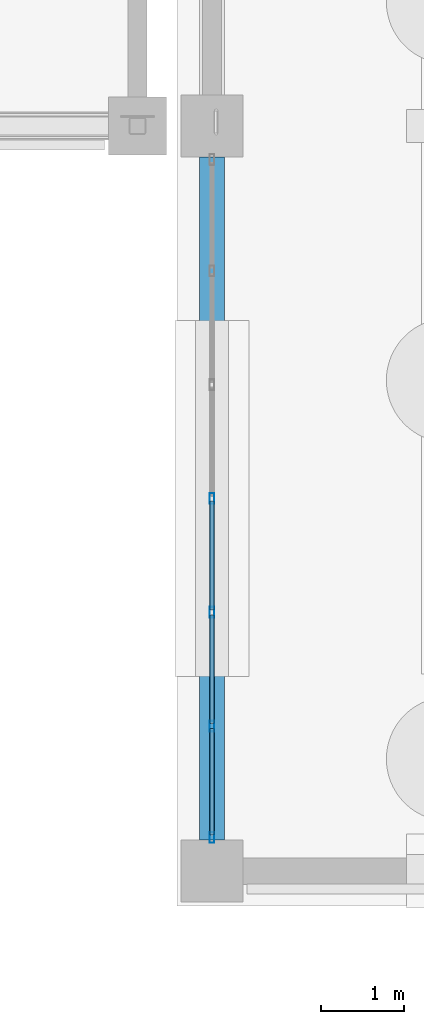
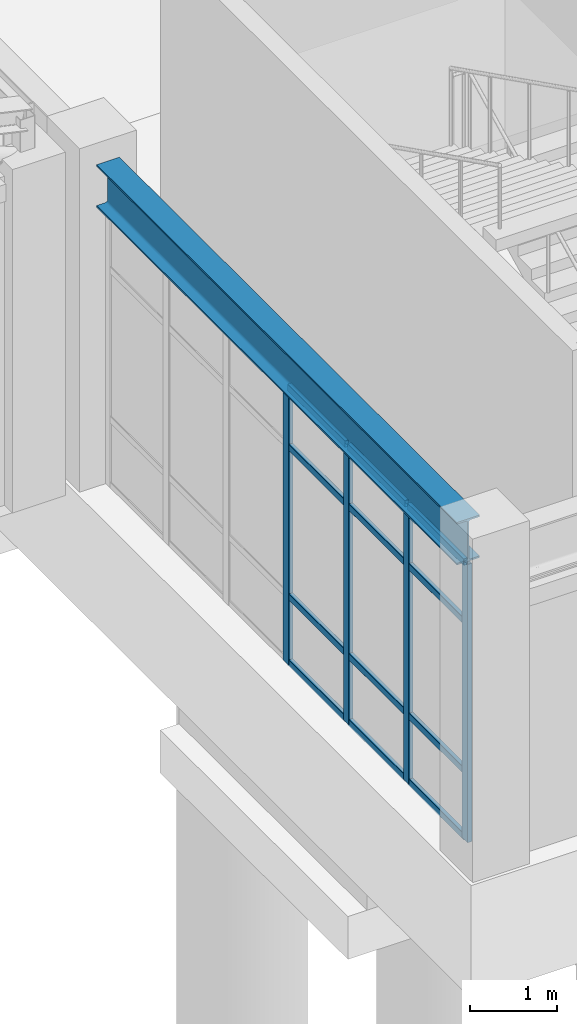
# One storey, part 28 of 139: 16 members, 1 beam, 1 element without a shape of its own.
"""IFC4 building model written with IfcOpenShell, lengths in metres."""

from ifc_helpers import new_model, si_unit, direction, frame, origin, origin_2d, place, context, subcontext, project, spatial, hollow_rectangle, i_section, extrude, material, material_profile, profile_set, type_object, element, aggregate, save


model = new_model("IFC4")

# Units and contexts
model_context = context("Model", 3, precision=1e-05, world=origin(), true_north=direction((0.0, 1.0)))
body_context = subcontext(model_context, "Body", "Model", "MODEL_VIEW")
ifc_project = project(units=[si_unit("LENGTHUNIT", "METRE"), si_unit("AREAUNIT", "SQUARE_METRE"), si_unit("VOLUMEUNIT", "CUBIC_METRE"), si_unit("PLANEANGLEUNIT", "RADIAN"), si_unit("MASSUNIT", "GRAM", prefix="KILO")], contexts=[model_context])

# Site, building, storey
site_placement = place(None, origin())
site = spatial("IfcSite", under=ifc_project, at=site_placement, CompositionType="ELEMENT")
building_placement = place(site_placement, origin())
building = spatial("IfcBuilding", under=site, at=building_placement, Name="Canglan Escarpment Cableway Terminal", CompositionType="ELEMENT")
storey_placement = place(building_placement, frame((0.0, 0.0, 14.39990234375)))
storey = spatial("IfcBuildingStorey", under=building, at=storey_placement, Name="L03", CompositionType="ELEMENT", Elevation=14.39990234375)

# Beam
ifc_material_1 = material(Name="Steel Q355C", Category="steel")
ifc_material_profile_1 = material_profile(ifc_material_1, i_section(OverallWidth=0.302001953125, OverallDepth=0.593994140625, WebThickness=0.013916015625, FlangeThickness=0.02294921875, FilletRadius=0.028076171875, at=origin_2d()), Name="HM 594x302x14x23")
ifc_profile_set_1 = profile_set([ifc_material_profile_1], Name="Steel Q355C")
beam_type = type_object("IfcBeamType", Name="BM-HM594", PredefinedType="BEAM", material=ifc_profile_set_1)
beam_placement = place(storey_placement, frame((137.60009765625, 34.375, 4.203125), z_axis=(0.0, 1.0, 0.0), x_axis=(-1.0, 0.0, 0.0)))
element("IfcBeam", 1, at=beam_placement, inside=storey, type_object=beam_type, Name="Primary transverse girder B-07", PredefinedType="BEAM", context=body_context, shape_type="SweptSolid", body=[
    extrude(i_section(OverallWidth=0.302001953125, OverallDepth=0.593994140625, WebThickness=0.013916015625, FlangeThickness=0.02294921875, FilletRadius=0.028076171875, at=origin_2d()), origin(), (0.0, 0.0, 1.0), 8.25),
])

# Curtain wall, members
ifc_material_2 = material(Name="Anodized bronze aluminium and Low-E double glazing", Category="aluminium")
curtain_wall_type = type_object("IfcCurtainWallType", Name="CW-BAY-8250x3900", PredefinedType="NOTDEFINED", material=ifc_material_2)
curtain_wall_placement = place(storey_placement, origin())
curtain_wall = element("IfcCurtainWall", 2, at=curtain_wall_placement, inside=storey, type_object=curtain_wall_type, Name="Classical bay-between-piers glazed curtain wall CW-62", PredefinedType="NOTDEFINED")
ifc_material_3 = material(Name="Thermally broken anodized aluminium 6063-T6", Category="aluminium")
ifc_material_profile_2 = material_profile(ifc_material_3, hollow_rectangle(XDim=0.06005859375, YDim=0.1298828125, WallThickness=0.0029296875, InnerFilletRadius=0.0029296875, OuterFilletRadius=0.006103515625, at=origin_2d()), Name="ALU-MULL 60x130x3")
ifc_profile_set_2 = profile_set([ifc_material_profile_2], Name="Thermally broken anodized aluminium 6063-T6")
member_type_1 = type_object("IfcMemberType", Name="CWM-01", PredefinedType="MULLION", material=ifc_profile_set_2)
member_1_placement = place(storey_placement, frame((137.60009765625, 38.5, 0.0), z_axis=(0.0, 0.0, 1.0), x_axis=(1.0, 0.0, 0.0)))
member_1 = element("IfcMember", 3, at=member_1_placement, type_object=member_type_1, Name="CW-62 mullion 4", PredefinedType="MULLION", context=body_context, shape_type="SweptSolid", body=[
    extrude(hollow_rectangle(XDim=0.06005859375, YDim=0.1298828125, WallThickness=0.0029296875, InnerFilletRadius=0.0029296875, OuterFilletRadius=0.006103515625, at=origin_2d()), origin(), (0.0, 0.0, 1.0), 3.89111328125),
])
member_2_placement = place(storey_placement, frame((137.60009765625, 37.125, 0.0), z_axis=(0.0, 0.0, 1.0), x_axis=(1.0, 0.0, 0.0)))
member_2 = element("IfcMember", 4, at=member_2_placement, type_object=member_type_1, Name="CW-62 mullion 5", PredefinedType="MULLION", context=body_context, shape_type="SweptSolid", body=[
    extrude(hollow_rectangle(XDim=0.06005859375, YDim=0.1298828125, WallThickness=0.0029296875, InnerFilletRadius=0.0029296875, OuterFilletRadius=0.006103515625, at=origin_2d()), origin(), (0.0, 0.0, 1.0), 3.89111328125),
])
member_3_placement = place(storey_placement, frame((137.60009765625, 35.75, 0.0), z_axis=(0.0, 0.0, 1.0), x_axis=(1.0, 0.0, 0.0)))
member_3 = element("IfcMember", 5, at=member_3_placement, type_object=member_type_1, Name="CW-62 mullion 6", PredefinedType="MULLION", context=body_context, shape_type="SweptSolid", body=[
    extrude(hollow_rectangle(XDim=0.06005859375, YDim=0.1298828125, WallThickness=0.0029296875, InnerFilletRadius=0.0029296875, OuterFilletRadius=0.006103515625, at=origin_2d()), origin(), (0.0, 0.0, 1.0), 3.89111328125),
])
member_4_placement = place(storey_placement, frame((137.60009765625, 34.405029296875, 0.0), z_axis=(0.0, 0.0, 1.0), x_axis=(1.0, 0.0, 0.0)))
member_4 = element("IfcMember", 6, at=member_4_placement, type_object=member_type_1, Name="CW-62 mullion 7", PredefinedType="MULLION", context=body_context, shape_type="SweptSolid", body=[
    extrude(hollow_rectangle(XDim=0.06005859375, YDim=0.1298828125, WallThickness=0.0029296875, InnerFilletRadius=0.0029296875, OuterFilletRadius=0.006103515625, at=origin_2d()), origin(), (0.0, 0.0, 1.0), 3.89111328125),
])
ifc_material_profile_3 = material_profile(ifc_material_3, hollow_rectangle(XDim=0.054931640625, YDim=0.094970703125, WallThickness=0.0029296875, InnerFilletRadius=0.0029296875, OuterFilletRadius=0.006103515625, at=origin_2d()), Name="ALU-TRAN 55x95x3")
ifc_profile_set_3 = profile_set([ifc_material_profile_3], Name="Thermally broken anodized aluminium 6063-T6")
member_type_2 = type_object("IfcMemberType", Name="CWT-01", PredefinedType="USERDEFINED", material=ifc_profile_set_3)
member_5_placement = place(storey_placement, frame((137.60009765625, 38.469970703125, 0.027587890625), z_axis=(0.0, -1.0, 0.0), x_axis=(1.0, 0.0, 0.0)))
member_5 = element("IfcMember", 7, at=member_5_placement, type_object=member_type_2, Name="CW-62 transom 4.1", ObjectType="TRANSOM", PredefinedType="USERDEFINED", context=body_context, shape_type="SweptSolid", body=[
    extrude(hollow_rectangle(XDim=0.054931640625, YDim=0.094970703125, WallThickness=0.0029296875, InnerFilletRadius=0.0029296875, OuterFilletRadius=0.006103515625, at=origin_2d()), origin(), (0.0, 0.0, 1.0), 1.31494140625),
])
member_6_placement = place(storey_placement, frame((137.60009765625, 38.469970703125, 0.9501953125), z_axis=(0.0, -1.0, 0.0), x_axis=(1.0, 0.0, 0.0)))
member_6 = element("IfcMember", 8, at=member_6_placement, type_object=member_type_2, Name="CW-62 transom 4.2", ObjectType="TRANSOM", PredefinedType="USERDEFINED", context=body_context, shape_type="SweptSolid", body=[
    extrude(hollow_rectangle(XDim=0.054931640625, YDim=0.094970703125, WallThickness=0.0029296875, InnerFilletRadius=0.0029296875, OuterFilletRadius=0.006103515625, at=origin_2d()), origin(), (0.0, 0.0, 1.0), 1.31494140625),
])
member_7_placement = place(storey_placement, frame((137.60009765625, 38.469970703125, 3.041015625), z_axis=(0.0, -1.0, 0.0), x_axis=(1.0, 0.0, 0.0)))
member_7 = element("IfcMember", 9, at=member_7_placement, type_object=member_type_2, Name="CW-62 transom 4.3", ObjectType="TRANSOM", PredefinedType="USERDEFINED", context=body_context, shape_type="SweptSolid", body=[
    extrude(hollow_rectangle(XDim=0.054931640625, YDim=0.094970703125, WallThickness=0.0029296875, InnerFilletRadius=0.0029296875, OuterFilletRadius=0.006103515625, at=origin_2d()), origin(), (0.0, 0.0, 1.0), 1.31494140625),
])
member_8_placement = place(storey_placement, frame((137.60009765625, 38.469970703125, 3.863525390625), z_axis=(0.0, -1.0, 0.0), x_axis=(1.0, 0.0, 0.0)))
member_8 = element("IfcMember", 10, at=member_8_placement, type_object=member_type_2, Name="CW-62 transom 4.4", ObjectType="TRANSOM", PredefinedType="USERDEFINED", context=body_context, shape_type="SweptSolid", body=[
    extrude(hollow_rectangle(XDim=0.054931640625, YDim=0.094970703125, WallThickness=0.0029296875, InnerFilletRadius=0.0029296875, OuterFilletRadius=0.006103515625, at=origin_2d()), origin(), (0.0, 0.0, 1.0), 1.31494140625),
])
member_9_placement = place(storey_placement, frame((137.60009765625, 37.094970703125, 0.027587890625), z_axis=(0.0, -1.0, 0.0), x_axis=(1.0, 0.0, 0.0)))
member_9 = element("IfcMember", 11, at=member_9_placement, type_object=member_type_2, Name="CW-62 transom 5.1", ObjectType="TRANSOM", PredefinedType="USERDEFINED", context=body_context, shape_type="SweptSolid", body=[
    extrude(hollow_rectangle(XDim=0.054931640625, YDim=0.094970703125, WallThickness=0.0029296875, InnerFilletRadius=0.0029296875, OuterFilletRadius=0.006103515625, at=origin_2d()), origin(), (0.0, 0.0, 1.0), 1.31494140625),
])
member_10_placement = place(storey_placement, frame((137.60009765625, 37.094970703125, 0.9501953125), z_axis=(0.0, -1.0, 0.0), x_axis=(1.0, 0.0, 0.0)))
member_10 = element("IfcMember", 12, at=member_10_placement, type_object=member_type_2, Name="CW-62 transom 5.2", ObjectType="TRANSOM", PredefinedType="USERDEFINED", context=body_context, shape_type="SweptSolid", body=[
    extrude(hollow_rectangle(XDim=0.054931640625, YDim=0.094970703125, WallThickness=0.0029296875, InnerFilletRadius=0.0029296875, OuterFilletRadius=0.006103515625, at=origin_2d()), origin(), (0.0, 0.0, 1.0), 1.31494140625),
])
member_11_placement = place(storey_placement, frame((137.60009765625, 37.094970703125, 3.041015625), z_axis=(0.0, -1.0, 0.0), x_axis=(1.0, 0.0, 0.0)))
member_11 = element("IfcMember", 13, at=member_11_placement, type_object=member_type_2, Name="CW-62 transom 5.3", ObjectType="TRANSOM", PredefinedType="USERDEFINED", context=body_context, shape_type="SweptSolid", body=[
    extrude(hollow_rectangle(XDim=0.054931640625, YDim=0.094970703125, WallThickness=0.0029296875, InnerFilletRadius=0.0029296875, OuterFilletRadius=0.006103515625, at=origin_2d()), origin(), (0.0, 0.0, 1.0), 1.31494140625),
])
member_12_placement = place(storey_placement, frame((137.60009765625, 37.094970703125, 3.863525390625), z_axis=(0.0, -1.0, 0.0), x_axis=(1.0, 0.0, 0.0)))
member_12 = element("IfcMember", 14, at=member_12_placement, type_object=member_type_2, Name="CW-62 transom 5.4", ObjectType="TRANSOM", PredefinedType="USERDEFINED", context=body_context, shape_type="SweptSolid", body=[
    extrude(hollow_rectangle(XDim=0.054931640625, YDim=0.094970703125, WallThickness=0.0029296875, InnerFilletRadius=0.0029296875, OuterFilletRadius=0.006103515625, at=origin_2d()), origin(), (0.0, 0.0, 1.0), 1.31494140625),
])
member_13_placement = place(storey_placement, frame((137.60009765625, 35.719970703125, 0.027587890625), z_axis=(0.0, -1.0, 0.0), x_axis=(1.0, 0.0, 0.0)))
member_13 = element("IfcMember", 15, at=member_13_placement, type_object=member_type_2, Name="CW-62 transom 6.1", ObjectType="TRANSOM", PredefinedType="USERDEFINED", context=body_context, shape_type="SweptSolid", body=[
    extrude(hollow_rectangle(XDim=0.054931640625, YDim=0.094970703125, WallThickness=0.0029296875, InnerFilletRadius=0.0029296875, OuterFilletRadius=0.006103515625, at=origin_2d()), origin(), (0.0, 0.0, 1.0), 1.284912109375),
])
member_14_placement = place(storey_placement, frame((137.60009765625, 35.719970703125, 0.9501953125), z_axis=(0.0, -1.0, 0.0), x_axis=(1.0, 0.0, 0.0)))
member_14 = element("IfcMember", 16, at=member_14_placement, type_object=member_type_2, Name="CW-62 transom 6.2", ObjectType="TRANSOM", PredefinedType="USERDEFINED", context=body_context, shape_type="SweptSolid", body=[
    extrude(hollow_rectangle(XDim=0.054931640625, YDim=0.094970703125, WallThickness=0.0029296875, InnerFilletRadius=0.0029296875, OuterFilletRadius=0.006103515625, at=origin_2d()), origin(), (0.0, 0.0, 1.0), 1.284912109375),
])
member_15_placement = place(storey_placement, frame((137.60009765625, 35.719970703125, 3.041015625), z_axis=(0.0, -1.0, 0.0), x_axis=(1.0, 0.0, 0.0)))
member_15 = element("IfcMember", 17, at=member_15_placement, type_object=member_type_2, Name="CW-62 transom 6.3", ObjectType="TRANSOM", PredefinedType="USERDEFINED", context=body_context, shape_type="SweptSolid", body=[
    extrude(hollow_rectangle(XDim=0.054931640625, YDim=0.094970703125, WallThickness=0.0029296875, InnerFilletRadius=0.0029296875, OuterFilletRadius=0.006103515625, at=origin_2d()), origin(), (0.0, 0.0, 1.0), 1.284912109375),
])
member_16_placement = place(storey_placement, frame((137.60009765625, 35.719970703125, 3.863525390625), z_axis=(0.0, -1.0, 0.0), x_axis=(1.0, 0.0, 0.0)))
member_16 = element("IfcMember", 18, at=member_16_placement, type_object=member_type_2, Name="CW-62 transom 6.4", ObjectType="TRANSOM", PredefinedType="USERDEFINED", context=body_context, shape_type="SweptSolid", body=[
    extrude(hollow_rectangle(XDim=0.054931640625, YDim=0.094970703125, WallThickness=0.0029296875, InnerFilletRadius=0.0029296875, OuterFilletRadius=0.006103515625, at=origin_2d()), origin(), (0.0, 0.0, 1.0), 1.284912109375),
])
aggregate(curtain_wall, [member_1, member_2, member_3, member_4, member_5, member_6, member_7, member_8, member_9, member_10, member_11, member_12, member_13, member_14, member_15, member_16])

save(model, "model.ifc")
